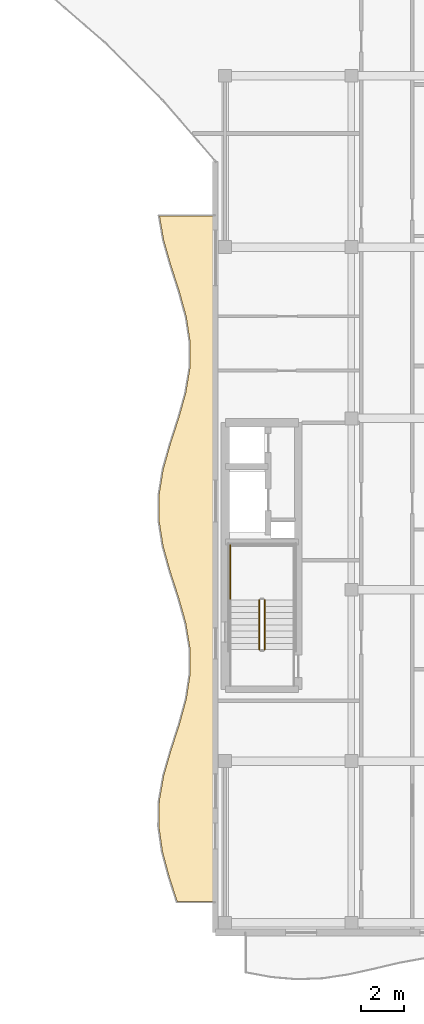
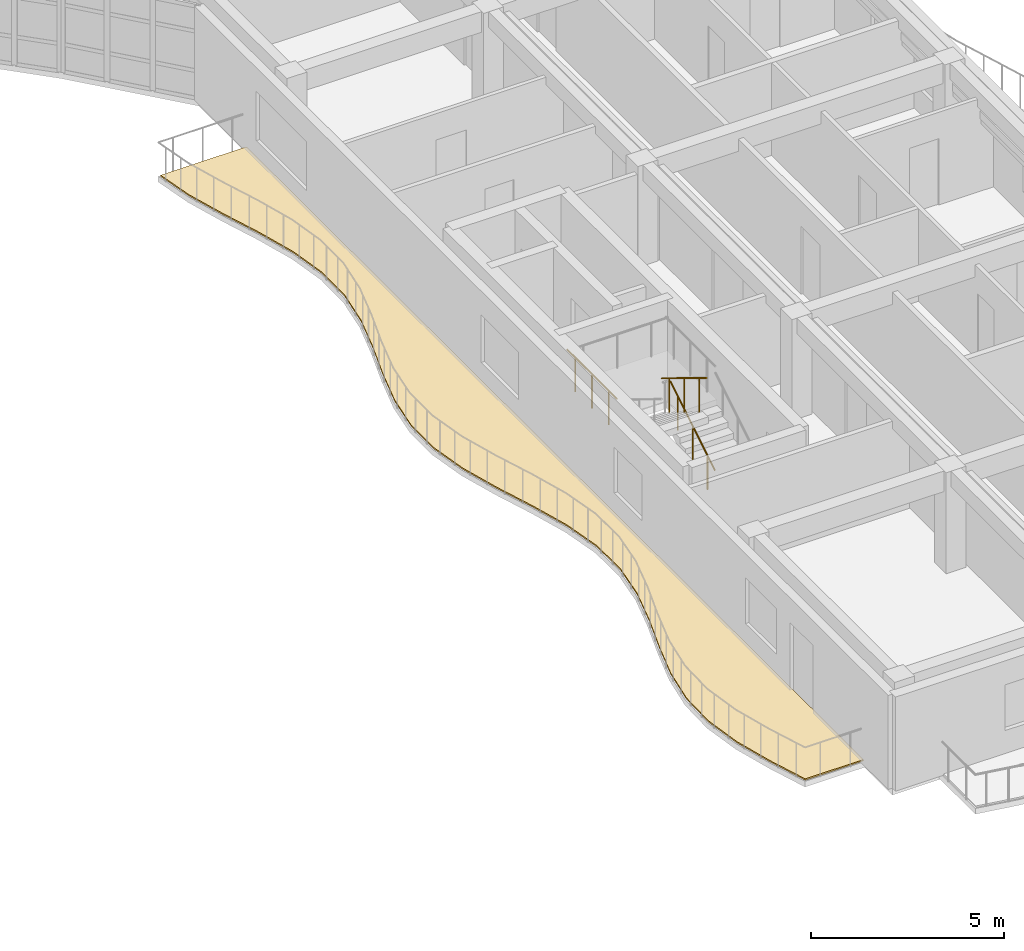
# One storey, part 62 of 76: 3 railings, 1 covering.
"""IFC4 building model written with IfcOpenShell, lengths in metres."""

import ifcopenshell
import ifcopenshell.guid

model = None  # the IFC model being written
_history = None  # IfcOwnerHistory: only IFC2X3 demands one
_inside = {}  # id of a spatial element -> (the spatial element, [elements in it])
_under = {}  # id of a project, library or spatial element -> (it, [spatial elements below it])
_declared = {}  # id of a project -> (the project, [libraries it declares])
_typed = {}  # id of a type object -> (the type object, [elements of that type])
_made_of = {}  # id of a material, layer set ... -> (it, [elements and type objects made of it])


def new_model(schema):
    """Start an empty IFC model of exactly this schema.

    Asked for "IFC4X3", IfcOpenShell would pick the latest addendum, in which some entities
    have other attributes; the version numbers below select the first issue.
    IFC2X3 requires an IfcOwnerHistory on every rooted entity: one is made here for all.
    """
    global model, _history
    if schema == "IFC4X3":
        model = ifcopenshell.file(schema_version=(4, 3, 0, 0))
    else:
        model = ifcopenshell.file(schema=schema)
    _inside.clear()
    _under.clear()
    _declared.clear()
    _typed.clear()
    _made_of.clear()
    _history = None
    if model.schema == "IFC2X3":
        org = make("IfcOrganization", Name="unknown")
        user = make(
            "IfcPersonAndOrganization",
            ThePerson=make("IfcPerson", FamilyName="unknown"),
            TheOrganization=org,
        )
        app = make(
            "IfcApplication",
            ApplicationDeveloper=org,
            Version="unknown",
            ApplicationFullName="unknown",
            ApplicationIdentifier="unknown",
        )
        _history = make(
            "IfcOwnerHistory",
            OwningUser=user,
            OwningApplication=app,
            ChangeAction="ADDED",
            CreationDate=0,
        )
    return model


def make(cls, **values):
    """One entity of the class cls with the attributes given. An attribute that is None is left unset."""
    return model.create_entity(
        cls, **{name: value for name, value in values.items() if value is not None}
    )


def rooted(cls, **values):
    """An entity with a GlobalId (a new one), such as an element, a storey or a relation."""
    return make(cls, GlobalId=ifcopenshell.guid.new(), OwnerHistory=_history, **values)


def si_unit(unit_type, name, prefix=None):
    """IfcSIUnit, for example si_unit("LENGTHUNIT", "METRE", prefix="MILLI")."""
    return make("IfcSIUnit", UnitType=unit_type, Prefix=prefix, Name=name)


def assignment(units):
    """IfcUnitAssignment: the units of a project."""
    return None if units is None else make("IfcUnitAssignment", Units=units)


def point(xyz):
    """IfcCartesianPoint."""
    return None if xyz is None else make("IfcCartesianPoint", Coordinates=xyz)


def direction(xyz):
    """IfcDirection."""
    return None if xyz is None else make("IfcDirection", DirectionRatios=xyz)


def frame(location, z_axis=None, x_axis=None):
    """IfcAxis2Placement3D, a coordinate frame: its origin and axes. An axis left out is left unset."""
    return make(
        "IfcAxis2Placement3D",
        Location=point(location),
        Axis=direction(z_axis),
        RefDirection=direction(x_axis),
    )


def frame_2d(location, x_axis=None):
    """IfcAxis2Placement2D, a coordinate frame in the plane: its origin and x axis."""
    return make(
        "IfcAxis2Placement2D", Location=point(location), RefDirection=direction(x_axis)
    )


def origin():
    """The frame at (0, 0, 0) with its axes left unset."""
    return frame((0.0, 0.0, 0.0))


def origin_2d():
    """The frame at (0, 0) in the plane with its x axis left unset."""
    return frame_2d((0.0, 0.0))


def place(relative_to, where):
    """IfcLocalPlacement: puts the frame where relative to a parent placement (None: the world)."""
    return make(
        "IfcLocalPlacement", PlacementRelTo=relative_to, RelativePlacement=where
    )


def context(
    kind, dimensions, precision=None, world=None, true_north=None, identifier=None
):
    """IfcGeometricRepresentationContext, for example the 3D "Model" context."""
    return make(
        "IfcGeometricRepresentationContext",
        ContextIdentifier=identifier,
        ContextType=kind,
        CoordinateSpaceDimension=dimensions,
        Precision=precision,
        WorldCoordinateSystem=world,
        TrueNorth=true_north,
    )


def subcontext(parent, identifier, kind, view, scale=None):
    """IfcGeometricRepresentationSubContext, for example "Body" below "Model"."""
    return make(
        "IfcGeometricRepresentationSubContext",
        ContextIdentifier=identifier,
        ContextType=kind,
        ParentContext=parent,
        TargetScale=scale,
        TargetView=view,
    )


def project(units=None, contexts=None):
    """IfcProject with its units and contexts."""
    return rooted(
        "IfcProject",
        Name="project",
        RepresentationContexts=contexts,
        UnitsInContext=assignment(units),
    )


def spatial(cls, under=None, at=None, **own):
    """A site, building, storey or space (cls), placed at a placement, below another one or the project."""
    s = rooted(cls, ObjectPlacement=at, **own)
    if under is not None:
        _under.setdefault(under.id(), (under, []))[1].append(s)
    return s


def polyline(points):
    """IfcPolyline through the points."""
    return make("IfcPolyline", Points=[point(p) for p in points])


def profile(cls, at=None, kind="AREA", **sizes):
    """A parametric profile (cls). Its sizes go by their IFC names, for example OverallWidth=200.0."""
    return make(cls, ProfileType=kind, Position=at, **sizes)


def circle(**sizes):
    """IfcCircleProfileDef."""
    return profile("IfcCircleProfileDef", **sizes)


def outline(outer, holes=None, kind="AREA"):
    """IfcArbitraryClosedProfileDef: a profile drawn as a closed curve; with holes, ...WithVoids."""
    if holes is None:
        return make("IfcArbitraryClosedProfileDef", ProfileType=kind, OuterCurve=outer)
    return make(
        "IfcArbitraryProfileDefWithVoids",
        ProfileType=kind,
        OuterCurve=outer,
        InnerCurves=holes,
    )


def extrude(swept, where, along, depth):
    """IfcExtrudedAreaSolid: the profile swept, set in the frame where, extruded along a direction by depth."""
    return make(
        "IfcExtrudedAreaSolid",
        SweptArea=swept,
        Position=where,
        ExtrudedDirection=direction(along),
        Depth=depth,
    )


def shape(context_of_items, identifier, shape_type, items):
    """IfcShapeRepresentation: the items that make up one representation, for example the "Body"."""
    return make(
        "IfcShapeRepresentation",
        ContextOfItems=context_of_items,
        RepresentationIdentifier=identifier,
        RepresentationType=shape_type,
        Items=items,
    )


def material(Name=None, Category=None):
    """IfcMaterial."""
    return make("IfcMaterial", Name=Name, Category=Category)


def layer(
    of_material, thickness, ventilated=None, Name=None, Category=None, Priority=None
):
    """IfcMaterialLayer: one layer of a wall or slab, of a material (None: an air gap)."""
    return make(
        "IfcMaterialLayer",
        Material=of_material,
        LayerThickness=thickness,
        IsVentilated=ventilated,
        Name=Name,
        Category=Category,
        Priority=Priority,
    )


def layer_set(layers, Name=None):
    """IfcMaterialLayerSet."""
    return make("IfcMaterialLayerSet", MaterialLayers=layers, LayerSetName=Name)


def made_of(thing, what):
    """Note that an element or type object is made of a material, layer set ...; save() writes the relation."""
    if what is not None:
        _made_of.setdefault(what.id(), (what, []))[1].append(thing)
    return thing


def type_object(cls, material=None, **own):
    """A type object (cls), such as IfcWallType, which elements share."""
    return made_of(rooted(cls, **own), material)


def element(
    cls,
    number,
    at=None,
    inside=None,
    cuts=None,
    type_object=None,
    material=None,
    context=None,
    identifier="Body",
    shape_type=None,
    held_by="IfcProductDefinitionShape",
    body=None,
    shapes=None,
    **own,
):
    """One element of the class cls, such as IfcWall. Its Tag is "e" and its number.

    at: its placement. inside: the storey or other place that contains it. cuts: it is an
    opening in that element (IfcRelVoidsElement). A single representation is given by context,
    identifier, shape_type and body (its items); several are given by shapes. held_by: the class
    of the entity that holds the representations. save() writes the other relations.
    """
    e = rooted(cls, Tag="e%d" % number, ObjectPlacement=at, **own)
    if body is not None:
        shapes = [shape(context, identifier, shape_type, body)]
    if shapes is not None:
        e.Representation = make(held_by, Representations=shapes)
    if inside is not None:
        _inside.setdefault(inside.id(), (inside, []))[1].append(e)
    if cuts is not None:
        rooted(
            "IfcRelVoidsElement", RelatingBuildingElement=cuts, RelatedOpeningElement=e
        )
    if type_object is not None:
        _typed.setdefault(type_object.id(), (type_object, []))[1].append(e)
    return made_of(e, material)


def aggregate(whole, parts):
    """IfcRelAggregates: a whole, such as a stair, and the parts it consists of."""
    return rooted("IfcRelAggregates", RelatingObject=whole, RelatedObjects=parts)


def save(model, path):
    """Write the relations noted so far, then the file.

    IfcRelAggregates (storeys below a building ...), IfcRelContainedInSpatialStructure (elements
    in a storey), IfcRelDefinesByType, IfcRelAssociatesMaterial and IfcRelDeclares: one each for
    every whole, place, type object, material and project.
    """
    for whole, parts in _under.values():
        aggregate(whole, parts)
    for where, things in _inside.values():
        rooted(
            "IfcRelContainedInSpatialStructure",
            RelatedElements=things,
            RelatingStructure=where,
        )
    for kind, things in _typed.values():
        rooted("IfcRelDefinesByType", RelatedObjects=things, RelatingType=kind)
    for what, things in _made_of.values():
        rooted("IfcRelAssociatesMaterial", RelatedObjects=things, RelatingMaterial=what)
    for by, libraries in _declared.values():
        rooted("IfcRelDeclares", RelatingContext=by, RelatedDefinitions=libraries)
    model.write(path)


model = new_model("IFC4")

# Units and contexts
model_context = context("Model", 3, precision=1e-05, world=origin(), true_north=direction((0.0, 1.0)))
body_context = subcontext(model_context, "Body", "Model", "MODEL_VIEW")
ifc_project = project(units=[si_unit("LENGTHUNIT", "METRE"), si_unit("AREAUNIT", "SQUARE_METRE"), si_unit("VOLUMEUNIT", "CUBIC_METRE"), si_unit("PLANEANGLEUNIT", "RADIAN"), si_unit("MASSUNIT", "GRAM", prefix="KILO")], contexts=[model_context])

# Site, building, storey
site_placement = place(None, origin())
site = spatial("IfcSite", under=ifc_project, at=site_placement, CompositionType="ELEMENT")
building_placement = place(site_placement, origin())
building = spatial("IfcBuilding", under=site, at=building_placement, Name="Keldmere Railside Commons", CompositionType="ELEMENT")
storey_placement = place(building_placement, frame((0.0, 0.0, 13.760009765625)))
storey = spatial("IfcBuildingStorey", under=building, at=storey_placement, Name="L04", CompositionType="ELEMENT", Elevation=13.760009765625)

# Railings
ifc_material_1 = material(Name="Steel F-24 (S235)", Category="steel")
railing_type = type_object("IfcRailingType", Name="Stair Well Steel Guardrail 1100", PredefinedType="BALUSTRADE", material=ifc_material_1)
railing_1_placement = place(storey_placement, frame((106.300048828125, 69.199951171875, 0.177734375)))
element("IfcRailing", 1, at=railing_1_placement, inside=storey, type_object=railing_type, Name="L04 ST-B1 stair guard 1", PredefinedType="BALUSTRADE", context=body_context, shape_type="SweptSolid", body=[
    extrude(circle(Radius=0.02392578125, at=origin_2d()), frame((0.0, 0.0, 1.076171875), z_axis=(0.0, 0.852538067394, 0.522665135287), x_axis=(-1.0, 0.0, 0.0)), (0.0, 0.0, 1.0), 2.721435546875),
    extrude(circle(Radius=0.02099609375, at=origin_2d()), frame((0.0, 0.38671875, 0.237060546875)), (0.0, 0.0, 1.0), 1.048095703125),
    extrude(circle(Radius=0.02099609375, at=origin_2d()), frame((0.0, 1.16015625, 0.711181640625)), (0.0, 0.0, 1.0), 1.048095703125),
    extrude(circle(Radius=0.02099609375, at=origin_2d()), frame((0.0, 1.933349609375, 1.185302734375)), (0.0, 0.0, 1.0), 1.048095703125),
])
railing_2_placement = place(storey_placement, frame((104.699951171875, 71.52001953125, 1.60009765625)))
element("IfcRailing", 2, at=railing_2_placement, inside=storey, type_object=railing_type, Name="L04 ST-B1 stair guard 4", PredefinedType="BALUSTRADE", context=body_context, shape_type="SweptSolid", body=[
    extrude(circle(Radius=0.02392578125, at=origin_2d()), frame((0.0, 0.0, 1.076171875), z_axis=(0.0, 1.0, 0.0), x_axis=(-1.0, 0.0, 0.0)), (0.0, 0.0, 1.0), 2.580078125),
    extrude(circle(Radius=0.02099609375, at=origin_2d()), frame((0.0, 0.429931640625, 0.0)), (0.0, 0.0, 1.0), 1.048095703125),
    extrude(circle(Radius=0.02099609375, at=origin_2d()), frame((0.0, 1.2900390625, 0.0)), (0.0, 0.0, 1.0), 1.048095703125),
    extrude(circle(Radius=0.02099609375, at=origin_2d()), frame((0.0, 2.150146484375, 0.0)), (0.0, 0.0, 1.0), 1.048095703125),
])
railing_3_placement = place(storey_placement, frame((106.050048828125, 71.52001953125, 1.77783203125)))
element("IfcRailing", 3, at=railing_3_placement, inside=storey, type_object=railing_type, Name="L04 ST-B1 stair guard 6", PredefinedType="BALUSTRADE", context=body_context, shape_type="SweptSolid", body=[
    extrude(circle(Radius=0.02392578125, at=origin_2d()), frame((0.0, 0.0, 1.076171875), z_axis=(0.0, -0.852578041948, 0.522599925744), x_axis=(1.0, 0.0, 0.0)), (0.0, 0.0, 1.0), 2.72119140625),
    extrude(circle(Radius=0.02099609375, at=origin_2d()), frame((0.0, -0.38671875, 0.237060546875)), (0.0, 0.0, 1.0), 1.048095703125),
    extrude(circle(Radius=0.02099609375, at=origin_2d()), frame((0.0, -1.16015625, 0.7109375)), (0.0, 0.0, 1.0), 1.048095703125),
    extrude(circle(Radius=0.02099609375, at=origin_2d()), frame((0.0, -1.933349609375, 1.18505859375)), (0.0, 0.0, 1.0), 1.048095703125),
])

# Covering
ifc_material_2 = material(Name="White Precast Concrete C35/45", Category="concrete")
ifc_layer = layer(ifc_material_2, 0.044921875, Name="White Architectural Balcony Ribbon Cladding 45")
ifc_layer_set = layer_set([ifc_layer], Name="White Precast Concrete C35/45")
covering_type = type_object("IfcCoveringType", Name="White Architectural Balcony Ribbon Cladding 45", PredefinedType="FLOORING", material=ifc_layer_set)
covering_placement = place(storey_placement, origin())
element("IfcCovering", 4, at=covering_placement, inside=storey, type_object=covering_type, Name="CLG-WB B L04 CW White Balcony Ribbon", PredefinedType="FLOORING", context=body_context, shape_type="SweptSolid", body=[
    extrude(outline(polyline([(103.9599609375, 89.4599609375), (101.38427734375, 89.4599609375), (101.58447265625, 88.320068359375), (101.92529296875, 87.1337890625), (102.309326171875, 85.945556640625), (102.309814453125, 85.94384765625), (102.635986328125, 84.7548828125), (102.636962890625, 84.75048828125), (102.819091796875, 83.561767578125), (102.819580078125, 83.55859375), (102.819580078125, 83.555419921875), (102.809814453125, 82.366455078125), (102.8095703125, 82.36328125), (102.80908203125, 82.360107421875), (102.60986328125, 81.171142578125), (102.60888671875, 81.1669921875), (102.272705078125, 79.97802734375), (102.2724609375, 79.9765625), (101.887939453125, 78.78857421875), (101.556884765625, 77.6025390625), (101.36572265625, 76.4189453125), (101.364501953125, 75.236328125), (101.552978515625, 74.052978515625), (101.8828125, 72.8671875), (102.267333984375, 71.678955078125), (102.267822265625, 71.677490234375), (102.605224609375, 70.48876953125), (102.606201171875, 70.484619140625), (102.8076171875, 69.295654296875), (102.80810546875, 69.29248046875), (102.808349609375, 69.289306640625), (102.82080078125, 68.100341796875), (102.82080078125, 68.09716796875), (102.8203125, 68.093994140625), (102.640625, 66.905029296875), (102.6396484375, 66.900634765625), (102.31494140625, 65.711669921875), (102.314453125, 65.7099609375), (101.930419921875, 64.521484375), (101.58837890625, 63.335205078125), (101.378173828125, 62.151611328125), (101.354736328125, 60.968994140625), (101.523681640625, 59.785888671875), (101.84130859375, 58.60009765625), (102.2158203125, 57.43994140625), (103.9599609375, 57.43994140625), (103.9599609375, 89.4599609375)])), origin(), (0.0, 0.0, 1.0), 0.044921875),
])

save(model, "model.ifc")
